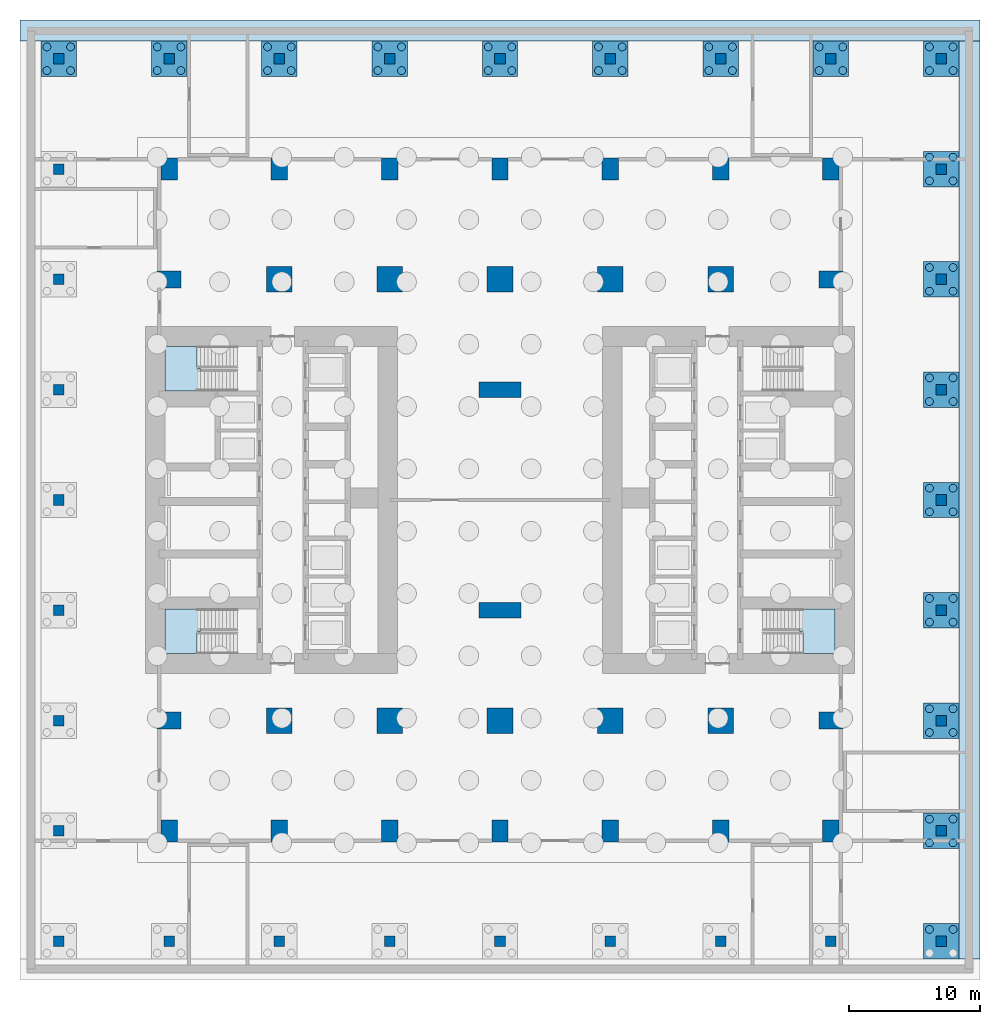
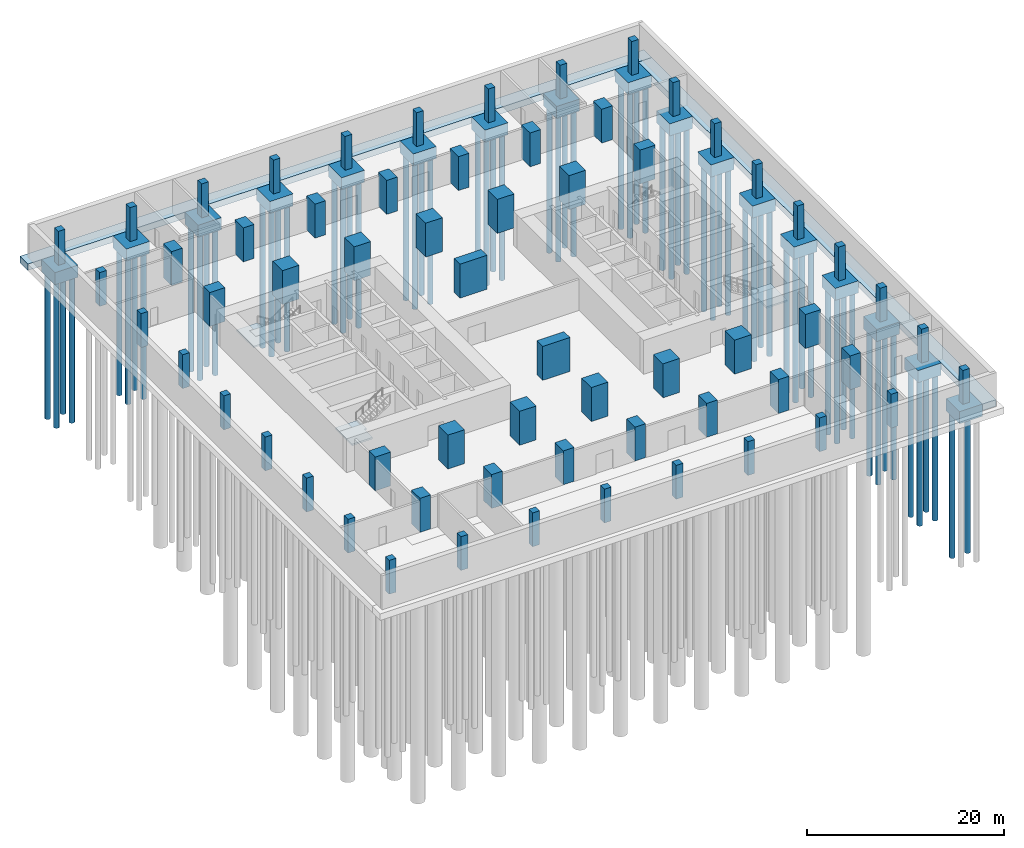
# One storey, part 2 of 11: 66 piles, 62 columns, 19 footings, 3 slabs, 3 elements without a shape of their own.
"""IFC4 building model written with IfcOpenShell, lengths in metres."""

from ifc_helpers import new_model, si_unit, direction, frame, origin, origin_2d, place, context, subcontext, project, spatial, polyline, rectangle, circle, outline, extrude, material, layer, layer_set, material_profile, profile_set, type_object, element, aggregate, save


model = new_model("IFC4")

# Units and contexts
model_context = context("Model", 3, precision=1e-05, world=origin(), true_north=direction((0.0, 1.0)))
body_context = subcontext(model_context, "Body", "Model", "MODEL_VIEW")
ifc_project = project(units=[si_unit("LENGTHUNIT", "METRE"), si_unit("AREAUNIT", "SQUARE_METRE"), si_unit("VOLUMEUNIT", "CUBIC_METRE"), si_unit("PLANEANGLEUNIT", "RADIAN"), si_unit("MASSUNIT", "GRAM", prefix="KILO")], contexts=[model_context])

# Site, building, storey
site_placement = place(None, origin())
site = spatial("IfcSite", under=ifc_project, at=site_placement, CompositionType="ELEMENT")
building_placement = place(site_placement, origin())
building = spatial("IfcBuilding", under=site, at=building_placement, Name="Claustro Exchange Tower", CompositionType="ELEMENT")
storey_placement = place(building_placement, frame((0.0, 0.0, -8.39990234375)))
storey = spatial("IfcBuildingStorey", under=building, at=storey_placement, Name="B2", CompositionType="ELEMENT", Elevation=-8.39990234375)

# Footings
ifc_material_1 = material(Name="Concrete HA-40 (C40/50)", Category="concrete")
footing_type_1 = type_object("IfcFootingType", Name="F2 pile cap 2700 x 2700 x 1500, four piles", PredefinedType="PILE_CAP", material=ifc_material_1)
footing_1_placement = place(storey_placement, frame((0.0, 0.0, -1.5)))
element("IfcFooting", 1, at=footing_1_placement, inside=storey, type_object=footing_type_1, Name="Pile cap F2 1+-8400/G+8400", PredefinedType="PILE_CAP", context=body_context, shape_type="SweptSolid", body=[
    extrude(outline(polyline([(-7.050048828125, 57.449951171875), (-7.050048828125, 60.14990234375), (-9.75, 60.14990234375), (-9.75, 57.449951171875), (-7.050048828125, 57.449951171875)])), origin(), (0.0, 0.0, 1.0), 1.5),
])
footing_2_placement = place(storey_placement, frame((0.0, 0.0, -1.5)))
element("IfcFooting", 2, at=footing_2_placement, inside=storey, type_object=footing_type_1, Name="Pile cap F2 1/G+8400", PredefinedType="PILE_CAP", context=body_context, shape_type="SweptSolid", body=[
    extrude(outline(polyline([(1.35009765625, 57.449951171875), (1.35009765625, 60.14990234375), (-1.35009765625, 60.14990234375), (-1.35009765625, 57.449951171875), (1.35009765625, 57.449951171875)])), origin(), (0.0, 0.0, 1.0), 1.5),
])
footing_3_placement = place(storey_placement, frame((0.0, 0.0, -1.5)))
element("IfcFooting", 3, at=footing_3_placement, inside=storey, type_object=footing_type_1, Name="Pile cap F2 2/G+8400", PredefinedType="PILE_CAP", context=body_context, shape_type="SweptSolid", body=[
    extrude(outline(polyline([(9.75, 57.449951171875), (9.75, 60.14990234375), (7.050048828125, 60.14990234375), (7.050048828125, 57.449951171875), (9.75, 57.449951171875)])), origin(), (0.0, 0.0, 1.0), 1.5),
])
footing_4_placement = place(storey_placement, frame((0.0, 0.0, -1.5)))
element("IfcFooting", 4, at=footing_4_placement, inside=storey, type_object=footing_type_1, Name="Pile cap F2 3/G+8400", PredefinedType="PILE_CAP", context=body_context, shape_type="SweptSolid", body=[
    extrude(outline(polyline([(18.14990234375, 57.449951171875), (18.14990234375, 60.14990234375), (15.449951171875, 60.14990234375), (15.449951171875, 57.449951171875), (18.14990234375, 57.449951171875)])), origin(), (0.0, 0.0, 1.0), 1.5),
])
footing_5_placement = place(storey_placement, frame((0.0, 0.0, -1.5)))
element("IfcFooting", 5, at=footing_5_placement, inside=storey, type_object=footing_type_1, Name="Pile cap F2 4/G+8400", PredefinedType="PILE_CAP", context=body_context, shape_type="SweptSolid", body=[
    extrude(outline(polyline([(26.550048828125, 57.449951171875), (26.550048828125, 60.14990234375), (23.85009765625, 60.14990234375), (23.85009765625, 57.449951171875), (26.550048828125, 57.449951171875)])), origin(), (0.0, 0.0, 1.0), 1.5),
])
footing_6_placement = place(storey_placement, frame((0.0, 0.0, -1.5)))
element("IfcFooting", 6, at=footing_6_placement, inside=storey, type_object=footing_type_1, Name="Pile cap F2 5/G+8400", PredefinedType="PILE_CAP", context=body_context, shape_type="SweptSolid", body=[
    extrude(outline(polyline([(34.949951171875, 57.449951171875), (34.949951171875, 60.14990234375), (32.25, 60.14990234375), (32.25, 57.449951171875), (34.949951171875, 57.449951171875)])), origin(), (0.0, 0.0, 1.0), 1.5),
])
footing_7_placement = place(storey_placement, frame((0.0, 0.0, -1.5)))
element("IfcFooting", 7, at=footing_7_placement, inside=storey, type_object=footing_type_1, Name="Pile cap F2 6/G+8400", PredefinedType="PILE_CAP", context=body_context, shape_type="SweptSolid", body=[
    extrude(outline(polyline([(43.35009765625, 57.449951171875), (43.35009765625, 60.14990234375), (40.64990234375, 60.14990234375), (40.64990234375, 57.449951171875), (43.35009765625, 57.449951171875)])), origin(), (0.0, 0.0, 1.0), 1.5),
])
footing_8_placement = place(storey_placement, frame((0.0, 0.0, -1.5)))
element("IfcFooting", 8, at=footing_8_placement, inside=storey, type_object=footing_type_1, Name="Pile cap F2 7/G+8400", PredefinedType="PILE_CAP", context=body_context, shape_type="SweptSolid", body=[
    extrude(outline(polyline([(51.75, 57.449951171875), (51.75, 60.14990234375), (49.050048828125, 60.14990234375), (49.050048828125, 57.449951171875), (51.75, 57.449951171875)])), origin(), (0.0, 0.0, 1.0), 1.5),
])
footing_9_placement = place(storey_placement, frame((0.0, 0.0, -1.5)))
element("IfcFooting", 9, at=footing_9_placement, inside=storey, type_object=footing_type_1, Name="Pile cap F2 7+8400/A+-8400", PredefinedType="PILE_CAP", context=body_context, shape_type="SweptSolid", body=[
    extrude(outline(polyline([(60.14990234375, -9.75), (60.14990234375, -7.050048828125), (57.449951171875, -7.050048828125), (57.449951171875, -9.75), (60.14990234375, -9.75)])), origin(), (0.0, 0.0, 1.0), 1.5),
])
footing_10_placement = place(storey_placement, frame((0.0, 0.0, -1.5)))
element("IfcFooting", 10, at=footing_10_placement, inside=storey, type_object=footing_type_1, Name="Pile cap F2 7+8400/A", PredefinedType="PILE_CAP", context=body_context, shape_type="SweptSolid", body=[
    extrude(outline(polyline([(60.14990234375, -1.35009765625), (60.14990234375, 1.35009765625), (57.449951171875, 1.35009765625), (57.449951171875, -1.35009765625), (60.14990234375, -1.35009765625)])), origin(), (0.0, 0.0, 1.0), 1.5),
])
footing_11_placement = place(storey_placement, frame((0.0, 0.0, -1.5)))
element("IfcFooting", 11, at=footing_11_placement, inside=storey, type_object=footing_type_1, Name="Pile cap F2 7+8400/B", PredefinedType="PILE_CAP", context=body_context, shape_type="SweptSolid", body=[
    extrude(outline(polyline([(60.14990234375, 7.050048828125), (60.14990234375, 9.75), (57.449951171875, 9.75), (57.449951171875, 7.050048828125), (60.14990234375, 7.050048828125)])), origin(), (0.0, 0.0, 1.0), 1.5),
])
footing_12_placement = place(storey_placement, frame((0.0, 0.0, -1.5)))
element("IfcFooting", 12, at=footing_12_placement, inside=storey, type_object=footing_type_1, Name="Pile cap F2 7+8400/C", PredefinedType="PILE_CAP", context=body_context, shape_type="SweptSolid", body=[
    extrude(outline(polyline([(60.14990234375, 15.449951171875), (60.14990234375, 18.14990234375), (57.449951171875, 18.14990234375), (57.449951171875, 15.449951171875), (60.14990234375, 15.449951171875)])), origin(), (0.0, 0.0, 1.0), 1.5),
])
footing_13_placement = place(storey_placement, frame((0.0, 0.0, -1.5)))
element("IfcFooting", 13, at=footing_13_placement, inside=storey, type_object=footing_type_1, Name="Pile cap F2 7+8400/D", PredefinedType="PILE_CAP", context=body_context, shape_type="SweptSolid", body=[
    extrude(outline(polyline([(60.14990234375, 23.85009765625), (60.14990234375, 26.550048828125), (57.449951171875, 26.550048828125), (57.449951171875, 23.85009765625), (60.14990234375, 23.85009765625)])), origin(), (0.0, 0.0, 1.0), 1.5),
])
footing_14_placement = place(storey_placement, frame((0.0, 0.0, -1.5)))
element("IfcFooting", 14, at=footing_14_placement, inside=storey, type_object=footing_type_1, Name="Pile cap F2 7+8400/E", PredefinedType="PILE_CAP", context=body_context, shape_type="SweptSolid", body=[
    extrude(outline(polyline([(60.14990234375, 32.25), (60.14990234375, 34.949951171875), (57.449951171875, 34.949951171875), (57.449951171875, 32.25), (60.14990234375, 32.25)])), origin(), (0.0, 0.0, 1.0), 1.5),
])
footing_15_placement = place(storey_placement, frame((0.0, 0.0, -1.5)))
element("IfcFooting", 15, at=footing_15_placement, inside=storey, type_object=footing_type_1, Name="Pile cap F2 7+8400/F", PredefinedType="PILE_CAP", context=body_context, shape_type="SweptSolid", body=[
    extrude(outline(polyline([(60.14990234375, 40.64990234375), (60.14990234375, 43.35009765625), (57.449951171875, 43.35009765625), (57.449951171875, 40.64990234375), (60.14990234375, 40.64990234375)])), origin(), (0.0, 0.0, 1.0), 1.5),
])
footing_16_placement = place(storey_placement, frame((0.0, 0.0, -1.5)))
element("IfcFooting", 16, at=footing_16_placement, inside=storey, type_object=footing_type_1, Name="Pile cap F2 7+8400/G", PredefinedType="PILE_CAP", context=body_context, shape_type="SweptSolid", body=[
    extrude(outline(polyline([(60.14990234375, 49.050048828125), (60.14990234375, 51.75), (57.449951171875, 51.75), (57.449951171875, 49.050048828125), (60.14990234375, 49.050048828125)])), origin(), (0.0, 0.0, 1.0), 1.5),
])
footing_17_placement = place(storey_placement, frame((0.0, 0.0, -1.5)))
element("IfcFooting", 17, at=footing_17_placement, inside=storey, type_object=footing_type_1, Name="Pile cap F2 7+8400/G+8400", PredefinedType="PILE_CAP", context=body_context, shape_type="SweptSolid", body=[
    extrude(outline(polyline([(60.14990234375, 57.449951171875), (60.14990234375, 60.14990234375), (57.449951171875, 60.14990234375), (57.449951171875, 57.449951171875), (60.14990234375, 57.449951171875)])), origin(), (0.0, 0.0, 1.0), 1.5),
])
ifc_material_2 = material(Name="Concrete HA-40 (C40/50)", Category="concrete")
footing_type_2 = type_object("IfcFootingType", Name="F3 strip footing 1600 wide, 800 deep", PredefinedType="STRIP_FOOTING", material=ifc_material_2)
footing_18_placement = place(storey_placement, frame((0.0, 0.0, -0.800048828125)))
element("IfcFooting", 18, at=footing_18_placement, inside=storey, type_object=footing_type_2, Name="Strip footing F3 N", PredefinedType="STRIP_FOOTING", context=body_context, shape_type="SweptSolid", body=[
    extrude(outline(polyline([(61.75, 60.14990234375), (61.75, 61.75), (-11.35009765625, 61.75), (-11.35009765625, 60.14990234375), (61.75, 60.14990234375)])), origin(), (0.0, 0.0, 1.0), 0.800048828125),
])
footing_19_placement = place(storey_placement, frame((0.0, 0.0, -0.800048828125)))
element("IfcFooting", 19, at=footing_19_placement, inside=storey, type_object=footing_type_2, Name="Strip footing F3 E", PredefinedType="STRIP_FOOTING", context=body_context, shape_type="SweptSolid", body=[
    extrude(outline(polyline([(61.75, -9.75), (61.75, 60.14990234375), (60.14990234375, 60.14990234375), (60.14990234375, -9.75), (61.75, -9.75)])), origin(), (0.0, 0.0, 1.0), 0.800048828125),
])

# Piles
ifc_material_3 = material(Name="Concrete HA-40 (C40/50)", Category="concrete")
pile_type = type_object("IfcPileType", Name="P2 600 dia bored pile", PredefinedType="BORED", material=ifc_material_3)
for number, where, z_axis, x_axis, name in (
    (20, (-9.300048828125, 57.89990234375, -1.5), (0.0, 0.0, -1.0), (1.0, 0.0, 0.0), "Pile P2 1+-8400/G+8400 1"),
    (21, (-7.5, 57.89990234375, -1.5), (0.0, 0.0, -1.0), (1.0, 0.0, 0.0), "Pile P2 1+-8400/G+8400 2"),
    (22, (-9.300048828125, 59.699951171875, -1.5), (0.0, 0.0, -1.0), (1.0, 0.0, 0.0), "Pile P2 1+-8400/G+8400 3"),
    (23, (-7.5, 59.699951171875, -1.5), (0.0, 0.0, -1.0), (1.0, 0.0, 0.0), "Pile P2 1+-8400/G+8400 4"),
    (24, (-0.89990234375, 57.89990234375, -1.5), (0.0, 0.0, -1.0), (1.0, 0.0, 0.0), "Pile P2 1/G+8400 1"),
    (25, (0.89990234375, 57.89990234375, -1.5), (0.0, 0.0, -1.0), (1.0, 0.0, 0.0), "Pile P2 1/G+8400 2"),
    (26, (-0.89990234375, 59.699951171875, -1.5), (0.0, 0.0, -1.0), (1.0, 0.0, 0.0), "Pile P2 1/G+8400 3"),
    (27, (0.89990234375, 59.699951171875, -1.5), (0.0, 0.0, -1.0), (1.0, 0.0, 0.0), "Pile P2 1/G+8400 4"),
    (28, (7.5, 57.89990234375, -1.5), (0.0, 0.0, -1.0), (1.0, 0.0, 0.0), "Pile P2 2/G+8400 1"),
    (29, (9.300048828125, 57.89990234375, -1.5), (0.0, 0.0, -1.0), (1.0, 0.0, 0.0), "Pile P2 2/G+8400 2"),
    (30, (7.5, 59.699951171875, -1.5), (0.0, 0.0, -1.0), (1.0, 0.0, 0.0), "Pile P2 2/G+8400 3"),
    (31, (9.300048828125, 59.699951171875, -1.5), (0.0, 0.0, -1.0), (1.0, 0.0, 0.0), "Pile P2 2/G+8400 4"),
    (32, (15.89990234375, 57.89990234375, -1.5), (0.0, 0.0, -1.0), (1.0, 0.0, 0.0), "Pile P2 3/G+8400 1"),
    (33, (17.699951171875, 57.89990234375, -1.5), (0.0, 0.0, -1.0), (1.0, 0.0, 0.0), "Pile P2 3/G+8400 2"),
    (34, (15.89990234375, 59.699951171875, -1.5), (0.0, 0.0, -1.0), (1.0, 0.0, 0.0), "Pile P2 3/G+8400 3"),
    (35, (17.699951171875, 59.699951171875, -1.5), (0.0, 0.0, -1.0), (1.0, 0.0, 0.0), "Pile P2 3/G+8400 4"),
    (36, (24.300048828125, 57.89990234375, -1.5), (0.0, 0.0, -1.0), (1.0, 0.0, 0.0), "Pile P2 4/G+8400 1"),
    (37, (26.10009765625, 57.89990234375, -1.5), (0.0, 0.0, -1.0), (1.0, 0.0, 0.0), "Pile P2 4/G+8400 2"),
    (38, (24.300048828125, 59.699951171875, -1.5), (0.0, 0.0, -1.0), (1.0, 0.0, 0.0), "Pile P2 4/G+8400 3"),
    (39, (26.10009765625, 59.699951171875, -1.5), (0.0, 0.0, -1.0), (1.0, 0.0, 0.0), "Pile P2 4/G+8400 4"),
    (40, (32.699951171875, 57.89990234375, -1.5), (0.0, 0.0, -1.0), (1.0, 0.0, 0.0), "Pile P2 5/G+8400 1"),
    (41, (34.5, 57.89990234375, -1.5), (0.0, 0.0, -1.0), (1.0, 0.0, 0.0), "Pile P2 5/G+8400 2"),
    (42, (32.699951171875, 59.699951171875, -1.5), (0.0, 0.0, -1.0), (1.0, 0.0, 0.0), "Pile P2 5/G+8400 3"),
    (43, (34.5, 59.699951171875, -1.5), (0.0, 0.0, -1.0), (1.0, 0.0, 0.0), "Pile P2 5/G+8400 4"),
    (44, (41.10009765625, 57.89990234375, -1.5), (0.0, 0.0, -1.0), (1.0, 0.0, 0.0), "Pile P2 6/G+8400 1"),
    (45, (42.89990234375, 57.89990234375, -1.5), (0.0, 0.0, -1.0), (1.0, 0.0, 0.0), "Pile P2 6/G+8400 2"),
    (46, (41.10009765625, 59.699951171875, -1.5), (0.0, 0.0, -1.0), (1.0, 0.0, 0.0), "Pile P2 6/G+8400 3"),
    (47, (42.89990234375, 59.699951171875, -1.5), (0.0, 0.0, -1.0), (1.0, 0.0, 0.0), "Pile P2 6/G+8400 4"),
    (48, (49.5, 57.89990234375, -1.5), (0.0, 0.0, -1.0), (1.0, 0.0, 0.0), "Pile P2 7/G+8400 1"),
    (49, (51.300048828125, 57.89990234375, -1.5), (0.0, 0.0, -1.0), (1.0, 0.0, 0.0), "Pile P2 7/G+8400 2"),
    (50, (49.5, 59.699951171875, -1.5), (0.0, 0.0, -1.0), (1.0, 0.0, 0.0), "Pile P2 7/G+8400 3"),
    (51, (51.300048828125, 59.699951171875, -1.5), (0.0, 0.0, -1.0), (1.0, 0.0, 0.0), "Pile P2 7/G+8400 4"),
    (52, (57.89990234375, -7.5, -1.5), (0.0, 0.0, -1.0), (1.0, 0.0, 0.0), "Pile P2 7+8400/A+-8400 3"),
    (53, (59.699951171875, -7.5, -1.5), (0.0, 0.0, -1.0), (1.0, 0.0, 0.0), "Pile P2 7+8400/A+-8400 4"),
    (54, (57.89990234375, -0.89990234375, -1.5), (0.0, 0.0, -1.0), (1.0, 0.0, 0.0), "Pile P2 7+8400/A 1"),
    (55, (59.699951171875, -0.89990234375, -1.5), (0.0, 0.0, -1.0), (1.0, 0.0, 0.0), "Pile P2 7+8400/A 2"),
    (56, (57.89990234375, 0.89990234375, -1.5), (0.0, 0.0, -1.0), (1.0, 0.0, 0.0), "Pile P2 7+8400/A 3"),
    (57, (59.699951171875, 0.89990234375, -1.5), (0.0, 0.0, -1.0), (1.0, 0.0, 0.0), "Pile P2 7+8400/A 4"),
    (58, (57.89990234375, 7.5, -1.5), (0.0, 0.0, -1.0), (1.0, 0.0, 0.0), "Pile P2 7+8400/B 1"),
    (59, (59.699951171875, 7.5, -1.5), (0.0, 0.0, -1.0), (1.0, 0.0, 0.0), "Pile P2 7+8400/B 2"),
    (60, (57.89990234375, 9.300048828125, -1.5), (0.0, 0.0, -1.0), (1.0, 0.0, 0.0), "Pile P2 7+8400/B 3"),
    (61, (59.699951171875, 9.300048828125, -1.5), (0.0, 0.0, -1.0), (1.0, 0.0, 0.0), "Pile P2 7+8400/B 4"),
    (62, (57.89990234375, 15.89990234375, -1.5), (0.0, 0.0, -1.0), (1.0, 0.0, 0.0), "Pile P2 7+8400/C 1"),
    (63, (59.699951171875, 15.89990234375, -1.5), (0.0, 0.0, -1.0), (1.0, 0.0, 0.0), "Pile P2 7+8400/C 2"),
    (64, (57.89990234375, 17.699951171875, -1.5), (0.0, 0.0, -1.0), (1.0, 0.0, 0.0), "Pile P2 7+8400/C 3"),
    (65, (59.699951171875, 17.699951171875, -1.5), (0.0, 0.0, -1.0), (1.0, 0.0, 0.0), "Pile P2 7+8400/C 4"),
    (66, (57.89990234375, 24.300048828125, -1.5), (0.0, 0.0, -1.0), (1.0, 0.0, 0.0), "Pile P2 7+8400/D 1"),
    (67, (59.699951171875, 24.300048828125, -1.5), (0.0, 0.0, -1.0), (1.0, 0.0, 0.0), "Pile P2 7+8400/D 2"),
    (68, (57.89990234375, 26.10009765625, -1.5), (0.0, 0.0, -1.0), (1.0, 0.0, 0.0), "Pile P2 7+8400/D 3"),
    (69, (59.699951171875, 26.10009765625, -1.5), (0.0, 0.0, -1.0), (1.0, 0.0, 0.0), "Pile P2 7+8400/D 4"),
    (70, (57.89990234375, 32.699951171875, -1.5), (0.0, 0.0, -1.0), (1.0, 0.0, 0.0), "Pile P2 7+8400/E 1"),
    (71, (59.699951171875, 32.699951171875, -1.5), (0.0, 0.0, -1.0), (1.0, 0.0, 0.0), "Pile P2 7+8400/E 2"),
    (72, (57.89990234375, 34.5, -1.5), (0.0, 0.0, -1.0), (1.0, 0.0, 0.0), "Pile P2 7+8400/E 3"),
    (73, (59.699951171875, 34.5, -1.5), (0.0, 0.0, -1.0), (1.0, 0.0, 0.0), "Pile P2 7+8400/E 4"),
    (74, (57.89990234375, 41.10009765625, -1.5), (0.0, 0.0, -1.0), (1.0, 0.0, 0.0), "Pile P2 7+8400/F 1"),
    (75, (59.699951171875, 41.10009765625, -1.5), (0.0, 0.0, -1.0), (1.0, 0.0, 0.0), "Pile P2 7+8400/F 2"),
    (76, (57.89990234375, 42.89990234375, -1.5), (0.0, 0.0, -1.0), (1.0, 0.0, 0.0), "Pile P2 7+8400/F 3"),
    (77, (59.699951171875, 42.89990234375, -1.5), (0.0, 0.0, -1.0), (1.0, 0.0, 0.0), "Pile P2 7+8400/F 4"),
    (78, (57.89990234375, 49.5, -1.5), (0.0, 0.0, -1.0), (1.0, 0.0, 0.0), "Pile P2 7+8400/G 1"),
    (79, (59.699951171875, 49.5, -1.5), (0.0, 0.0, -1.0), (1.0, 0.0, 0.0), "Pile P2 7+8400/G 2"),
    (80, (57.89990234375, 51.300048828125, -1.5), (0.0, 0.0, -1.0), (1.0, 0.0, 0.0), "Pile P2 7+8400/G 3"),
    (81, (59.699951171875, 51.300048828125, -1.5), (0.0, 0.0, -1.0), (1.0, 0.0, 0.0), "Pile P2 7+8400/G 4"),
    (82, (57.89990234375, 57.89990234375, -1.5), (0.0, 0.0, -1.0), (1.0, 0.0, 0.0), "Pile P2 7+8400/G+8400 1"),
    (83, (59.699951171875, 57.89990234375, -1.5), (0.0, 0.0, -1.0), (1.0, 0.0, 0.0), "Pile P2 7+8400/G+8400 2"),
    (84, (57.89990234375, 59.699951171875, -1.5), (0.0, 0.0, -1.0), (1.0, 0.0, 0.0), "Pile P2 7+8400/G+8400 3"),
    (85, (59.699951171875, 59.699951171875, -1.5), (0.0, 0.0, -1.0), (1.0, 0.0, 0.0), "Pile P2 7+8400/G+8400 4"),
):
    element("IfcPile", number, at=place(storey_placement, frame(where, z_axis=z_axis, x_axis=x_axis)), inside=storey, type_object=pile_type, Name=name, PredefinedType="BORED", context=body_context, shape_type="SweptSolid", body=[
        extrude(circle(Radius=0.300048828125, at=origin_2d()), origin(), (0.0, 0.0, 1.0), 18.0),
    ])

# Columns
ifc_material_4 = material(Name="Concrete HA-70 (C70/85)", Category="concrete")
ifc_material_profile_1 = material_profile(ifc_material_4, rectangle(XDim=1.949951171875, YDim=1.949951171875, at=origin_2d()), Name="RC 1950x1950")
ifc_profile_set_1 = profile_set([ifc_material_profile_1], Name="Concrete HA-70 (C70/85)")
column_type_1 = type_object("IfcColumnType", Name="C12 RC 1950x1950 HA-70 column", PredefinedType="COLUMN", material=ifc_profile_set_1)
for number, where, z_axis, x_axis, name in (
    (86, (8.39990234375, 8.39990234375, 0.0), (0.0, 0.0, 1.0), (1.0, 0.0, 0.0), "Column C12 2/B B2"),
    (87, (8.39990234375, 42.0, 0.0), (0.0, 0.0, 1.0), (1.0, 0.0, 0.0), "Column C12 2/F B2"),
    (88, (16.800048828125, 8.39990234375, 0.0), (0.0, 0.0, 1.0), (1.0, 0.0, 0.0), "Column C12 3/B B2"),
    (89, (16.800048828125, 42.0, 0.0), (0.0, 0.0, 1.0), (1.0, 0.0, 0.0), "Column C12 3/F B2"),
    (90, (25.199951171875, 8.39990234375, 0.0), (0.0, 0.0, 1.0), (1.0, 0.0, 0.0), "Column C12 4/B B2"),
    (91, (25.199951171875, 42.0, 0.0), (0.0, 0.0, 1.0), (1.0, 0.0, 0.0), "Column C12 4/F B2"),
    (92, (33.60009765625, 8.39990234375, 0.0), (0.0, 0.0, 1.0), (1.0, 0.0, 0.0), "Column C12 5/B B2"),
    (93, (33.60009765625, 42.0, 0.0), (0.0, 0.0, 1.0), (1.0, 0.0, 0.0), "Column C12 5/F B2"),
    (94, (42.0, 8.39990234375, 0.0), (0.0, 0.0, 1.0), (1.0, 0.0, 0.0), "Column C12 6/B B2"),
    (95, (42.0, 42.0, 0.0), (0.0, 0.0, 1.0), (1.0, 0.0, 0.0), "Column C12 6/F B2"),
):
    element("IfcColumn", number, at=place(storey_placement, frame(where, z_axis=z_axis, x_axis=x_axis)), inside=storey, type_object=column_type_1, Name=name, PredefinedType="COLUMN", context=body_context, shape_type="SweptSolid", body=[
        extrude(rectangle(XDim=1.949951171875, YDim=1.949951171875, at=origin_2d()), origin(), (0.0, 0.0, 1.0), 4.199951171875),
    ])
ifc_material_5 = material(Name="Concrete HA-70 (C70/85)", Category="concrete")
ifc_material_profile_2 = material_profile(ifc_material_5, rectangle(XDim=1.25, YDim=1.699951171875, at=origin_2d()), Name="RC 1250x1700")
ifc_profile_set_2 = profile_set([ifc_material_profile_2], Name="Concrete HA-70 (C70/85)")
column_type_2 = type_object("IfcColumnType", Name="C18 RC 1250x1700 HA-70 perimeter column", PredefinedType="COLUMN", material=ifc_profile_set_2)
for number, where, z_axis, x_axis, name in (
    (96, (0.0, 0.0, 0.0), (0.0, 0.0, 1.0), (1.0, 0.0, 0.0), "Column C18 1/A B2"),
    (97, (0.0, 50.39990234375, 0.0), (0.0, 0.0, 1.0), (1.0, 0.0, 0.0), "Column C18 1/G B2"),
    (98, (8.39990234375, 0.0, 0.0), (0.0, 0.0, 1.0), (1.0, 0.0, 0.0), "Column C18 2/A B2"),
    (99, (8.39990234375, 50.39990234375, 0.0), (0.0, 0.0, 1.0), (1.0, 0.0, 0.0), "Column C18 2/G B2"),
    (100, (16.800048828125, 0.0, 0.0), (0.0, 0.0, 1.0), (1.0, 0.0, 0.0), "Column C18 3/A B2"),
    (101, (16.800048828125, 50.39990234375, 0.0), (0.0, 0.0, 1.0), (1.0, 0.0, 0.0), "Column C18 3/G B2"),
    (102, (25.199951171875, 0.0, 0.0), (0.0, 0.0, 1.0), (1.0, 0.0, 0.0), "Column C18 4/A B2"),
    (103, (25.199951171875, 50.39990234375, 0.0), (0.0, 0.0, 1.0), (1.0, 0.0, 0.0), "Column C18 4/G B2"),
    (104, (33.60009765625, 0.0, 0.0), (0.0, 0.0, 1.0), (1.0, 0.0, 0.0), "Column C18 5/A B2"),
    (105, (33.60009765625, 50.39990234375, 0.0), (0.0, 0.0, 1.0), (1.0, 0.0, 0.0), "Column C18 5/G B2"),
    (106, (42.0, 0.0, 0.0), (0.0, 0.0, 1.0), (1.0, 0.0, 0.0), "Column C18 6/A B2"),
    (107, (42.0, 50.39990234375, 0.0), (0.0, 0.0, 1.0), (1.0, 0.0, 0.0), "Column C18 6/G B2"),
    (108, (50.39990234375, 0.0, 0.0), (0.0, 0.0, 1.0), (1.0, 0.0, 0.0), "Column C18 7/A B2"),
    (109, (50.39990234375, 50.39990234375, 0.0), (0.0, 0.0, 1.0), (1.0, 0.0, 0.0), "Column C18 7/G B2"),
):
    element("IfcColumn", number, at=place(storey_placement, frame(where, z_axis=z_axis, x_axis=x_axis)), inside=storey, type_object=column_type_2, Name=name, PredefinedType="COLUMN", context=body_context, shape_type="SweptSolid", body=[
        extrude(rectangle(XDim=1.25, YDim=1.699951171875, at=origin_2d()), origin(), (0.0, 0.0, 1.0), 4.199951171875),
    ])
ifc_material_6 = material(Name="Concrete HA-70 (C70/85)", Category="concrete")
ifc_material_profile_3 = material_profile(ifc_material_6, rectangle(XDim=3.199951171875, YDim=1.199951171875, at=origin_2d()), Name="RC 3200x1200")
ifc_profile_set_3 = profile_set([ifc_material_profile_3], Name="Concrete HA-70 (C70/85)")
column_type_3 = type_object("IfcColumnType", Name="C28 RC 3200x1200 HA-70 light well column", PredefinedType="COLUMN", material=ifc_profile_set_3)
for number, where, z_axis, x_axis, name in (
    (110, (25.199951171875, 16.800048828125, 0.0), (0.0, 0.0, 1.0), (1.0, 0.0, 0.0), "Column C28 4/C B2"),
    (111, (25.199951171875, 33.60009765625, 0.0), (0.0, 0.0, 1.0), (1.0, 0.0, 0.0), "Column C28 4/E B2"),
):
    element("IfcColumn", number, at=place(storey_placement, frame(where, z_axis=z_axis, x_axis=x_axis)), inside=storey, type_object=column_type_3, Name=name, PredefinedType="COLUMN", context=body_context, shape_type="SweptSolid", body=[
        extrude(rectangle(XDim=3.199951171875, YDim=1.199951171875, at=origin_2d()), origin(), (0.0, 0.0, 1.0), 4.199951171875),
    ])
ifc_material_7 = material(Name="Concrete HA-50 (C50/60)", Category="concrete")
ifc_material_profile_4 = material_profile(ifc_material_7, rectangle(XDim=0.800048828125, YDim=0.800048828125, at=origin_2d()), Name="RC 800x800")
ifc_profile_set_4 = profile_set([ifc_material_profile_4], Name="Concrete HA-50 (C50/60)")
column_type_4 = type_object("IfcColumnType", Name="C4 RC 800x800 HA-50 column", PredefinedType="COLUMN", material=ifc_profile_set_4)
for number, where, z_axis, x_axis, name in (
    (112, (-8.39990234375, -8.39990234375, 0.0), (0.0, 0.0, 1.0), (1.0, 0.0, 0.0), "Column C4 1+-8400/A+-8400 B2"),
    (113, (-8.39990234375, 0.0, 0.0), (0.0, 0.0, 1.0), (1.0, 0.0, 0.0), "Column C4 1+-8400/A B2"),
    (114, (-8.39990234375, 8.39990234375, 0.0), (0.0, 0.0, 1.0), (1.0, 0.0, 0.0), "Column C4 1+-8400/B B2"),
    (115, (-8.39990234375, 16.800048828125, 0.0), (0.0, 0.0, 1.0), (1.0, 0.0, 0.0), "Column C4 1+-8400/C B2"),
    (116, (-8.39990234375, 25.199951171875, 0.0), (0.0, 0.0, 1.0), (1.0, 0.0, 0.0), "Column C4 1+-8400/D B2"),
    (117, (-8.39990234375, 33.60009765625, 0.0), (0.0, 0.0, 1.0), (1.0, 0.0, 0.0), "Column C4 1+-8400/E B2"),
    (118, (-8.39990234375, 42.0, 0.0), (0.0, 0.0, 1.0), (1.0, 0.0, 0.0), "Column C4 1+-8400/F B2"),
    (119, (-8.39990234375, 50.39990234375, 0.0), (0.0, 0.0, 1.0), (1.0, 0.0, 0.0), "Column C4 1+-8400/G B2"),
    (120, (-8.39990234375, 58.800048828125, 0.0), (0.0, 0.0, 1.0), (1.0, 0.0, 0.0), "Column C4 1+-8400/G+8400 B2"),
    (121, (0.0, -8.39990234375, 0.0), (0.0, 0.0, 1.0), (1.0, 0.0, 0.0), "Column C4 1/A+-8400 B2"),
    (122, (0.0, 58.800048828125, 0.0), (0.0, 0.0, 1.0), (1.0, 0.0, 0.0), "Column C4 1/G+8400 B2"),
    (123, (8.39990234375, -8.39990234375, 0.0), (0.0, 0.0, 1.0), (1.0, 0.0, 0.0), "Column C4 2/A+-8400 B2"),
    (124, (8.39990234375, 58.800048828125, 0.0), (0.0, 0.0, 1.0), (1.0, 0.0, 0.0), "Column C4 2/G+8400 B2"),
    (125, (16.800048828125, -8.39990234375, 0.0), (0.0, 0.0, 1.0), (1.0, 0.0, 0.0), "Column C4 3/A+-8400 B2"),
    (126, (16.800048828125, 58.800048828125, 0.0), (0.0, 0.0, 1.0), (1.0, 0.0, 0.0), "Column C4 3/G+8400 B2"),
    (127, (25.199951171875, -8.39990234375, 0.0), (0.0, 0.0, 1.0), (1.0, 0.0, 0.0), "Column C4 4/A+-8400 B2"),
    (128, (25.199951171875, 58.800048828125, 0.0), (0.0, 0.0, 1.0), (1.0, 0.0, 0.0), "Column C4 4/G+8400 B2"),
    (129, (33.60009765625, -8.39990234375, 0.0), (0.0, 0.0, 1.0), (1.0, 0.0, 0.0), "Column C4 5/A+-8400 B2"),
    (130, (33.60009765625, 58.800048828125, 0.0), (0.0, 0.0, 1.0), (1.0, 0.0, 0.0), "Column C4 5/G+8400 B2"),
    (131, (42.0, -8.39990234375, 0.0), (0.0, 0.0, 1.0), (1.0, 0.0, 0.0), "Column C4 6/A+-8400 B2"),
    (132, (42.0, 58.800048828125, 0.0), (0.0, 0.0, 1.0), (1.0, 0.0, 0.0), "Column C4 6/G+8400 B2"),
    (133, (50.39990234375, -8.39990234375, 0.0), (0.0, 0.0, 1.0), (1.0, 0.0, 0.0), "Column C4 7/A+-8400 B2"),
    (134, (50.39990234375, 58.800048828125, 0.0), (0.0, 0.0, 1.0), (1.0, 0.0, 0.0), "Column C4 7/G+8400 B2"),
    (135, (58.800048828125, -8.39990234375, 0.0), (0.0, 0.0, 1.0), (1.0, 0.0, 0.0), "Column C4 7+8400/A+-8400 B2"),
    (136, (58.800048828125, 0.0, 0.0), (0.0, 0.0, 1.0), (1.0, 0.0, 0.0), "Column C4 7+8400/A B2"),
    (137, (58.800048828125, 8.39990234375, 0.0), (0.0, 0.0, 1.0), (1.0, 0.0, 0.0), "Column C4 7+8400/B B2"),
    (138, (58.800048828125, 16.800048828125, 0.0), (0.0, 0.0, 1.0), (1.0, 0.0, 0.0), "Column C4 7+8400/C B2"),
    (139, (58.800048828125, 25.199951171875, 0.0), (0.0, 0.0, 1.0), (1.0, 0.0, 0.0), "Column C4 7+8400/D B2"),
    (140, (58.800048828125, 33.60009765625, 0.0), (0.0, 0.0, 1.0), (1.0, 0.0, 0.0), "Column C4 7+8400/E B2"),
    (141, (58.800048828125, 42.0, 0.0), (0.0, 0.0, 1.0), (1.0, 0.0, 0.0), "Column C4 7+8400/F B2"),
    (142, (58.800048828125, 50.39990234375, 0.0), (0.0, 0.0, 1.0), (1.0, 0.0, 0.0), "Column C4 7+8400/G B2"),
    (143, (58.800048828125, 58.800048828125, 0.0), (0.0, 0.0, 1.0), (1.0, 0.0, 0.0), "Column C4 7+8400/G+8400 B2"),
):
    element("IfcColumn", number, at=place(storey_placement, frame(where, z_axis=z_axis, x_axis=x_axis)), inside=storey, type_object=column_type_4, Name=name, PredefinedType="COLUMN", context=body_context, shape_type="SweptSolid", body=[
        extrude(rectangle(XDim=0.800048828125, YDim=0.800048828125, at=origin_2d()), origin(), (0.0, 0.0, 1.0), 4.199951171875),
    ])
ifc_material_8 = material(Name="Concrete HA-70 (C70/85)", Category="concrete")
ifc_material_profile_5 = material_profile(ifc_material_8, rectangle(XDim=1.300048828125, YDim=1.800048828125, at=origin_2d()), Name="RC 1300x1800")
ifc_profile_set_5 = profile_set([ifc_material_profile_5], Name="Concrete HA-70 (C70/85)")
column_type_5 = type_object("IfcColumnType", Name="C40 RC 1300x1800 HA-70 perimeter column", PredefinedType="COLUMN", material=ifc_profile_set_5)
for number, where, z_axis, x_axis, name in (
    (144, (0.0, 8.39990234375, 0.0), (0.0, 0.0, 1.0), (0.0, 1.0, 0.0), "Column C40 1/B B2"),
    (145, (0.0, 42.0, 0.0), (0.0, 0.0, 1.0), (0.0, 1.0, 0.0), "Column C40 1/F B2"),
    (146, (50.39990234375, 8.39990234375, 0.0), (0.0, 0.0, 1.0), (0.0, 1.0, 0.0), "Column C40 7/B B2"),
    (147, (50.39990234375, 42.0, 0.0), (0.0, 0.0, 1.0), (0.0, 1.0, 0.0), "Column C40 7/F B2"),
):
    element("IfcColumn", number, at=place(storey_placement, frame(where, z_axis=z_axis, x_axis=x_axis)), inside=storey, type_object=column_type_5, Name=name, PredefinedType="COLUMN", context=body_context, shape_type="SweptSolid", body=[
        extrude(rectangle(XDim=1.300048828125, YDim=1.800048828125, at=origin_2d()), origin(), (0.0, 0.0, 1.0), 4.199951171875),
    ])

# Stair, slab
ifc_material_9 = material(Name="Concrete HA-30 (C30/37), precast", Category="concrete")
stair_type = type_object("IfcStairType", Name="ST1 half-turn stair, 24 risers of 175", PredefinedType="HALF_TURN_STAIR", material=ifc_material_9)
stair_1_placement = place(storey_placement, origin())
stair_1 = element("IfcStair", 148, at=stair_1_placement, inside=storey, type_object=stair_type, Name="Stair STWA B2", PredefinedType="HALF_TURN_STAIR")
ifc_material_10 = material(Name="Concrete HA-30 (C30/37), precast", Category="concrete")
ifc_layer = layer(ifc_material_10, 0.199951171875)
ifc_layer_set = layer_set([ifc_layer], Name="Concrete HA-30 (C30/37), precast")
slab_type = type_object("IfcSlabType", Name="S9 200 stair landing", PredefinedType="LANDING", material=ifc_layer_set)
slab_1_placement = place(storey_placement, frame((0.0, 0.0, 1.89990234375)))
slab_1 = element("IfcSlab", 149, at=slab_1_placement, type_object=slab_type, Name="STWA landing 1", PredefinedType="LANDING", context=body_context, shape_type="SweptSolid", body=[
    extrude(outline(polyline([(2.125, 13.5), (-0.300048828125, 13.5), (-0.300048828125, 16.89990234375), (2.1201171875, 16.89990234375), (2.125, 16.89990234375), (2.39990234375, 16.89990234375), (2.39990234375, 15.199951171875), (2.125, 15.199951171875), (2.125, 13.5)])), origin(), (0.0, 0.0, 1.0), 0.199951171875),
])
aggregate(stair_1, [slab_1])

stair_2_placement = place(storey_placement, origin())
stair_2 = element("IfcStair", 150, at=stair_2_placement, inside=storey, type_object=stair_type, Name="Stair STWB B2", PredefinedType="HALF_TURN_STAIR")
slab_2_placement = place(storey_placement, frame((0.0, 0.0, 1.89990234375)))
slab_2 = element("IfcSlab", 151, at=slab_2_placement, type_object=slab_type, Name="STWB landing 1", PredefinedType="LANDING", context=body_context, shape_type="SweptSolid", body=[
    extrude(outline(polyline([(2.39990234375, 35.199951171875), (2.39990234375, 33.5), (2.125, 33.5), (2.1201171875, 33.5), (-0.300048828125, 33.5), (-0.300048828125, 36.89990234375), (2.125, 36.89990234375), (2.125, 35.199951171875), (2.39990234375, 35.199951171875)])), origin(), (0.0, 0.0, 1.0), 0.199951171875),
])
aggregate(stair_2, [slab_2])

stair_3_placement = place(storey_placement, origin())
stair_3 = element("IfcStair", 152, at=stair_3_placement, inside=storey, type_object=stair_type, Name="Stair STEA B2", PredefinedType="HALF_TURN_STAIR")
slab_3_placement = place(storey_placement, frame((0.0, 0.0, 1.89990234375)))
slab_3 = element("IfcSlab", 153, at=slab_3_placement, type_object=slab_type, Name="STEA landing 1", PredefinedType="LANDING", context=body_context, shape_type="SweptSolid", body=[
    extrude(outline(polyline([(50.699951171875, 16.89990234375), (50.699951171875, 13.5), (48.27490234375, 13.5), (48.27490234375, 15.199951171875), (48.0, 15.199951171875), (48.0, 16.89990234375), (48.27490234375, 16.89990234375), (48.280029296875, 16.89990234375), (50.699951171875, 16.89990234375)])), origin(), (0.0, 0.0, 1.0), 0.199951171875),
])
aggregate(stair_3, [slab_3])

save(model, "model.ifc")
